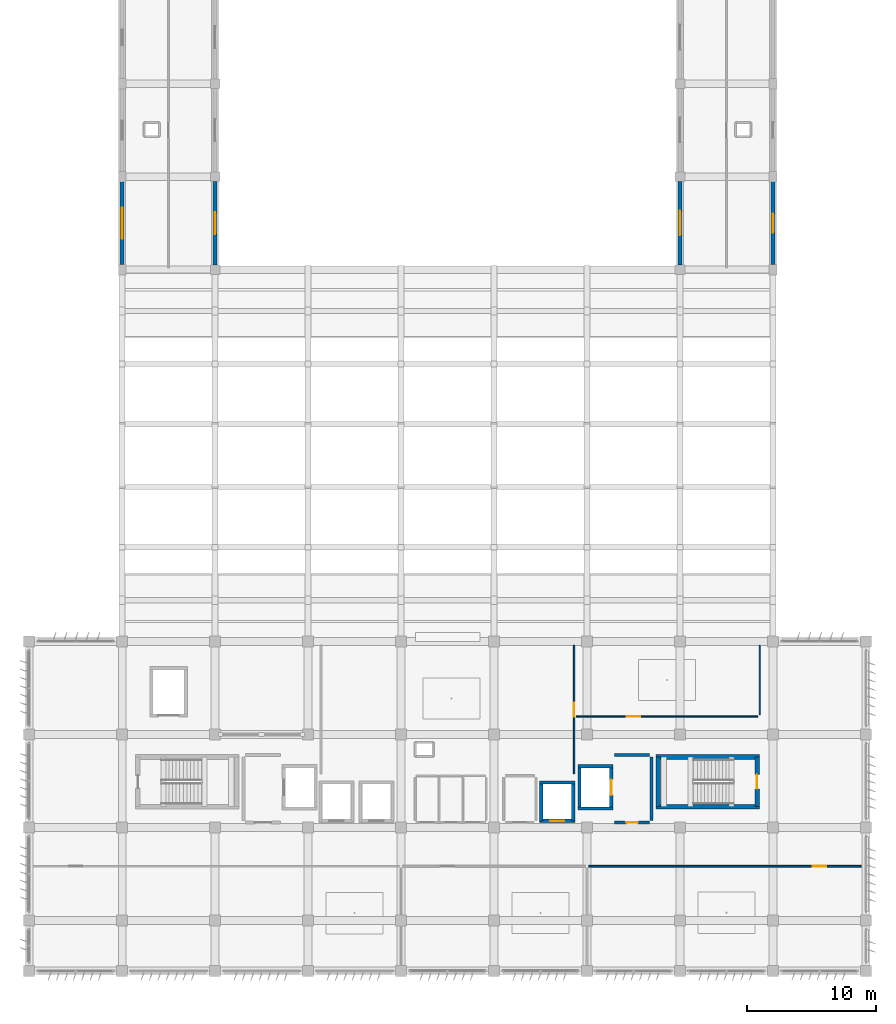
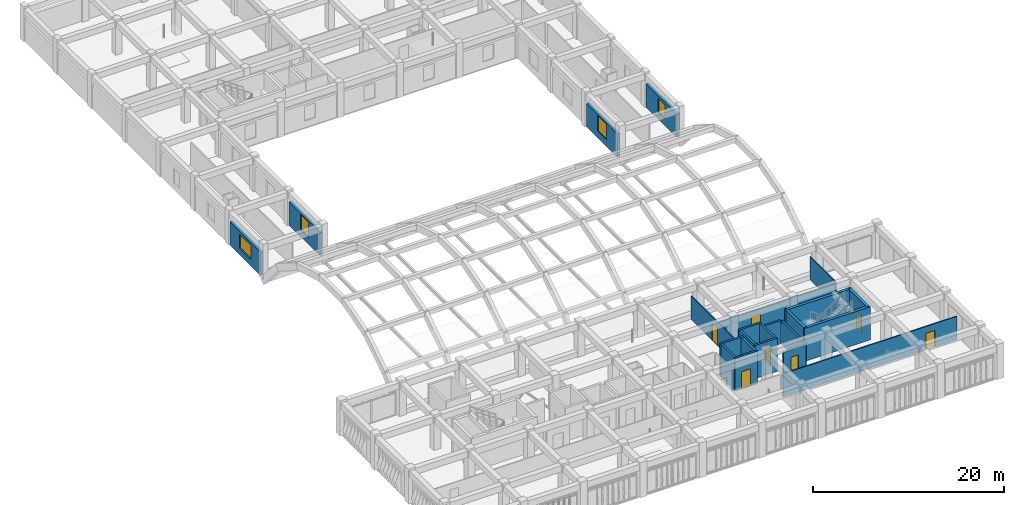
# One storey, part 29 of 48: 23 walls, 7 doors, 4 windows, 11 openings.
"""IFC4 building model written with IfcOpenShell, lengths in metres."""

import ifcopenshell
import ifcopenshell.guid

model = None  # the IFC model being written
_history = None  # IfcOwnerHistory: only IFC2X3 demands one
_inside = {}  # id of a spatial element -> (the spatial element, [elements in it])
_under = {}  # id of a project, library or spatial element -> (it, [spatial elements below it])
_declared = {}  # id of a project -> (the project, [libraries it declares])
_typed = {}  # id of a type object -> (the type object, [elements of that type])
_made_of = {}  # id of a material, layer set ... -> (it, [elements and type objects made of it])


def new_model(schema):
    """Start an empty IFC model of exactly this schema.

    Asked for "IFC4X3", IfcOpenShell would pick the latest addendum, in which some entities
    have other attributes; the version numbers below select the first issue.
    IFC2X3 requires an IfcOwnerHistory on every rooted entity: one is made here for all.
    """
    global model, _history
    if schema == "IFC4X3":
        model = ifcopenshell.file(schema_version=(4, 3, 0, 0))
    else:
        model = ifcopenshell.file(schema=schema)
    _inside.clear()
    _under.clear()
    _declared.clear()
    _typed.clear()
    _made_of.clear()
    _history = None
    if model.schema == "IFC2X3":
        org = make("IfcOrganization", Name="unknown")
        user = make(
            "IfcPersonAndOrganization",
            ThePerson=make("IfcPerson", FamilyName="unknown"),
            TheOrganization=org,
        )
        app = make(
            "IfcApplication",
            ApplicationDeveloper=org,
            Version="unknown",
            ApplicationFullName="unknown",
            ApplicationIdentifier="unknown",
        )
        _history = make(
            "IfcOwnerHistory",
            OwningUser=user,
            OwningApplication=app,
            ChangeAction="ADDED",
            CreationDate=0,
        )
    return model


def make(cls, **values):
    """One entity of the class cls with the attributes given. An attribute that is None is left unset."""
    return model.create_entity(
        cls, **{name: value for name, value in values.items() if value is not None}
    )


def rooted(cls, **values):
    """An entity with a GlobalId (a new one), such as an element, a storey or a relation."""
    return make(cls, GlobalId=ifcopenshell.guid.new(), OwnerHistory=_history, **values)


def si_unit(unit_type, name, prefix=None):
    """IfcSIUnit, for example si_unit("LENGTHUNIT", "METRE", prefix="MILLI")."""
    return make("IfcSIUnit", UnitType=unit_type, Prefix=prefix, Name=name)


def assignment(units):
    """IfcUnitAssignment: the units of a project."""
    return None if units is None else make("IfcUnitAssignment", Units=units)


def point(xyz):
    """IfcCartesianPoint."""
    return None if xyz is None else make("IfcCartesianPoint", Coordinates=xyz)


def direction(xyz):
    """IfcDirection."""
    return None if xyz is None else make("IfcDirection", DirectionRatios=xyz)


def frame(location, z_axis=None, x_axis=None):
    """IfcAxis2Placement3D, a coordinate frame: its origin and axes. An axis left out is left unset."""
    return make(
        "IfcAxis2Placement3D",
        Location=point(location),
        Axis=direction(z_axis),
        RefDirection=direction(x_axis),
    )


def frame_2d(location, x_axis=None):
    """IfcAxis2Placement2D, a coordinate frame in the plane: its origin and x axis."""
    return make(
        "IfcAxis2Placement2D", Location=point(location), RefDirection=direction(x_axis)
    )


def origin():
    """The frame at (0, 0, 0) with its axes left unset."""
    return frame((0.0, 0.0, 0.0))


def place(relative_to, where):
    """IfcLocalPlacement: puts the frame where relative to a parent placement (None: the world)."""
    return make(
        "IfcLocalPlacement", PlacementRelTo=relative_to, RelativePlacement=where
    )


def context(
    kind, dimensions, precision=None, world=None, true_north=None, identifier=None
):
    """IfcGeometricRepresentationContext, for example the 3D "Model" context."""
    return make(
        "IfcGeometricRepresentationContext",
        ContextIdentifier=identifier,
        ContextType=kind,
        CoordinateSpaceDimension=dimensions,
        Precision=precision,
        WorldCoordinateSystem=world,
        TrueNorth=true_north,
    )


def subcontext(parent, identifier, kind, view, scale=None):
    """IfcGeometricRepresentationSubContext, for example "Body" below "Model"."""
    return make(
        "IfcGeometricRepresentationSubContext",
        ContextIdentifier=identifier,
        ContextType=kind,
        ParentContext=parent,
        TargetScale=scale,
        TargetView=view,
    )


def project(units=None, contexts=None):
    """IfcProject with its units and contexts."""
    return rooted(
        "IfcProject",
        Name="project",
        RepresentationContexts=contexts,
        UnitsInContext=assignment(units),
    )


def spatial(cls, under=None, at=None, **own):
    """A site, building, storey or space (cls), placed at a placement, below another one or the project."""
    s = rooted(cls, ObjectPlacement=at, **own)
    if under is not None:
        _under.setdefault(under.id(), (under, []))[1].append(s)
    return s


def profile(cls, at=None, kind="AREA", **sizes):
    """A parametric profile (cls). Its sizes go by their IFC names, for example OverallWidth=200.0."""
    return make(cls, ProfileType=kind, Position=at, **sizes)


def rectangle(**sizes):
    """IfcRectangleProfileDef."""
    return profile("IfcRectangleProfileDef", **sizes)


def extrude(swept, where, along, depth):
    """IfcExtrudedAreaSolid: the profile swept, set in the frame where, extruded along a direction by depth."""
    return make(
        "IfcExtrudedAreaSolid",
        SweptArea=swept,
        Position=where,
        ExtrudedDirection=direction(along),
        Depth=depth,
    )


def shape(context_of_items, identifier, shape_type, items):
    """IfcShapeRepresentation: the items that make up one representation, for example the "Body"."""
    return make(
        "IfcShapeRepresentation",
        ContextOfItems=context_of_items,
        RepresentationIdentifier=identifier,
        RepresentationType=shape_type,
        Items=items,
    )


def material(Name=None, Category=None):
    """IfcMaterial."""
    return make("IfcMaterial", Name=Name, Category=Category)


def layer(
    of_material, thickness, ventilated=None, Name=None, Category=None, Priority=None
):
    """IfcMaterialLayer: one layer of a wall or slab, of a material (None: an air gap)."""
    return make(
        "IfcMaterialLayer",
        Material=of_material,
        LayerThickness=thickness,
        IsVentilated=ventilated,
        Name=Name,
        Category=Category,
        Priority=Priority,
    )


def layer_set(layers, Name=None):
    """IfcMaterialLayerSet."""
    return make("IfcMaterialLayerSet", MaterialLayers=layers, LayerSetName=Name)


def made_of(thing, what):
    """Note that an element or type object is made of a material, layer set ...; save() writes the relation."""
    if what is not None:
        _made_of.setdefault(what.id(), (what, []))[1].append(thing)
    return thing


def type_object(cls, material=None, **own):
    """A type object (cls), such as IfcWallType, which elements share."""
    return made_of(rooted(cls, **own), material)


def element(
    cls,
    number,
    at=None,
    inside=None,
    cuts=None,
    type_object=None,
    material=None,
    context=None,
    identifier="Body",
    shape_type=None,
    held_by="IfcProductDefinitionShape",
    body=None,
    shapes=None,
    **own,
):
    """One element of the class cls, such as IfcWall. Its Tag is "e" and its number.

    at: its placement. inside: the storey or other place that contains it. cuts: it is an
    opening in that element (IfcRelVoidsElement). A single representation is given by context,
    identifier, shape_type and body (its items); several are given by shapes. held_by: the class
    of the entity that holds the representations. save() writes the other relations.
    """
    e = rooted(cls, Tag="e%d" % number, ObjectPlacement=at, **own)
    if body is not None:
        shapes = [shape(context, identifier, shape_type, body)]
    if shapes is not None:
        e.Representation = make(held_by, Representations=shapes)
    if inside is not None:
        _inside.setdefault(inside.id(), (inside, []))[1].append(e)
    if cuts is not None:
        rooted(
            "IfcRelVoidsElement", RelatingBuildingElement=cuts, RelatedOpeningElement=e
        )
    if type_object is not None:
        _typed.setdefault(type_object.id(), (type_object, []))[1].append(e)
    return made_of(e, material)


def fill(opening, filler):
    """IfcRelFillsElement: the door or window that sits in an opening."""
    return rooted(
        "IfcRelFillsElement",
        RelatingOpeningElement=opening,
        RelatedBuildingElement=filler,
    )


def aggregate(whole, parts):
    """IfcRelAggregates: a whole, such as a stair, and the parts it consists of."""
    return rooted("IfcRelAggregates", RelatingObject=whole, RelatedObjects=parts)


def save(model, path):
    """Write the relations noted so far, then the file.

    IfcRelAggregates (storeys below a building ...), IfcRelContainedInSpatialStructure (elements
    in a storey), IfcRelDefinesByType, IfcRelAssociatesMaterial and IfcRelDeclares: one each for
    every whole, place, type object, material and project.
    """
    for whole, parts in _under.values():
        aggregate(whole, parts)
    for where, things in _inside.values():
        rooted(
            "IfcRelContainedInSpatialStructure",
            RelatedElements=things,
            RelatingStructure=where,
        )
    for kind, things in _typed.values():
        rooted("IfcRelDefinesByType", RelatedObjects=things, RelatingType=kind)
    for what, things in _made_of.values():
        rooted("IfcRelAssociatesMaterial", RelatedObjects=things, RelatingMaterial=what)
    for by, libraries in _declared.values():
        rooted("IfcRelDeclares", RelatingContext=by, RelatedDefinitions=libraries)
    model.write(path)


model = new_model("IFC4")

# Units and contexts
model_context = context("Model", 3, precision=1e-05, world=origin(), true_north=direction((0.0, 1.0)))
body_context = subcontext(model_context, "Body", "Model", "MODEL_VIEW")
ifc_project = project(units=[si_unit("LENGTHUNIT", "METRE"), si_unit("AREAUNIT", "SQUARE_METRE"), si_unit("VOLUMEUNIT", "CUBIC_METRE"), si_unit("PLANEANGLEUNIT", "RADIAN"), si_unit("MASSUNIT", "GRAM", prefix="KILO")], contexts=[model_context])

# Site, building, storey
site_placement = place(None, origin())
site = spatial("IfcSite", under=ifc_project, at=site_placement, CompositionType="ELEMENT")
building_placement = place(site_placement, origin())
building = spatial("IfcBuilding", under=site, at=building_placement, Name="Kazehaya Institute of Natural Sciences", CompositionType="ELEMENT")
storey_placement = place(building_placement, frame((0.0, 0.0, 19.800048828125)))
storey = spatial("IfcBuildingStorey", under=building, at=storey_placement, Name="L04", CompositionType="ELEMENT", Elevation=19.800048828125)

# Walls
ifc_material_1 = material(Name="Concrete Fc42", Category="concrete")
ifc_layer_1 = layer(ifc_material_1, 0.35009765625, Name="Concrete Fc42", Category="concrete")
ifc_layer_set_1 = layer_set([ifc_layer_1], Name="Concrete Fc42")
wall_type_1 = type_object("IfcWallType", Name="WL-CORE-350", PredefinedType="SHEAR", material=ifc_layer_set_1)
for number, where, z_axis, x_axis, name in (
    (1, (111.155029296875, 22.820068359375, 0.0), (0.0, 0.0, 1.0), (-1.0, 0.0, 0.0), "L04 ST-2 core wall S"),
    (2, (103.14501953125, 26.659912109375, 0.0), (0.0, 0.0, 1.0), (1.0, 0.0, 0.0), "L04 ST-2 core wall N"),
):
    element("IfcWall", number, at=place(storey_placement, frame(where, z_axis=z_axis, x_axis=x_axis)), inside=storey, type_object=wall_type_1, Name=name, PredefinedType="SHEAR", context=body_context, shape_type="SweptSolid", body=[
        extrude(rectangle(XDim=8.010009765625, YDim=0.35009765625, at=frame_2d((4.0048828125, 0.0))), origin(), (0.0, 0.0, 1.0), 4.22998046875),
    ])
wall_1_placement = place(storey_placement, frame((103.320068359375, 22.820068359375, 0.0), z_axis=(0.0, 0.0, 1.0), x_axis=(0.0, 1.0, 0.0)))
element("IfcWall", 3, at=wall_1_placement, inside=storey, type_object=wall_type_1, Name="L04 ST-2 core wall W", PredefinedType="SHEAR", context=body_context, shape_type="SweptSolid", body=[
    extrude(rectangle(XDim=3.83984375, YDim=0.35009765625, at=frame_2d((1.919921875, 0.0))), origin(), (0.0, 0.0, 1.0), 4.22998046875),
])

# Wall, opening, door
wall_2_placement = place(storey_placement, frame((110.97998046875, 26.659912109375, 0.0), z_axis=(0.0, 0.0, 1.0), x_axis=(0.0, -1.0, 0.0)))
wall_2 = element("IfcWall", 4, at=wall_2_placement, inside=storey, type_object=wall_type_1, Name="L04 ST-2 core wall E", PredefinedType="SHEAR", context=body_context, shape_type="SweptSolid", body=[
    extrude(rectangle(XDim=3.83984375, YDim=0.35009765625, at=frame_2d((1.919921875, 0.0))), origin(), (0.0, 0.0, 1.0), 4.22998046875),
])
opening_1_placement = place(wall_2_placement, frame((1.3701171875, 0.0, 0.0)))
opening_1 = element("IfcOpeningElement", 5, at=opening_1_placement, cuts=wall_2, Name="Opening D-ST-017", PredefinedType="OPENING", context=body_context, shape_type="SweptSolid", body=[
    extrude(rectangle(XDim=1.10009765625, YDim=2.179931640625, at=frame_2d((0.550048828125, 1.08984375))), frame((0.0, 0.18505859375, 0.0), z_axis=(0.0, -1.0, 0.0), x_axis=(1.0, 0.0, 0.0)), (0.0, 0.0, 1.0), 0.3701171875),
])
ifc_material_2 = material(Name="Fire-rated steel acoustic door", Category="steel")
door_type_1 = type_object("IfcDoorType", Name="DT-FD-18", OperationType="NOTDEFINED", PredefinedType="DOOR", material=ifc_material_2)
door_1_placement = place(opening_1_placement, origin())
door_1 = element("IfcDoor", 6, at=door_1_placement, inside=storey, type_object=door_type_1, Name="L04 ST-2 stair enclosure door D-ST-017", OperationType="SINGLE_SWING_LEFT", OverallHeight=2.179931640625, OverallWidth=1.10009765625, PredefinedType="DOOR", context=body_context, shape_type="SweptSolid", body=[
    extrude(rectangle(XDim=1.10009765625, YDim=2.179931640625, at=frame_2d((0.550048828125, 1.08984375))), frame((0.0, 0.02490234375, 0.0), z_axis=(0.0, -1.0, 0.0), x_axis=(1.0, 0.0, 0.0)), (0.0, 0.0, 1.0), 0.050048828125),
])
fill(opening_1, door_1)

# Wall, opening, window
ifc_material_3 = material(Name="Precast concrete Fc36", Category="concrete")
ifc_layer_2 = layer(ifc_material_3, 0.31005859375, Name="Precast concrete Fc36", Category="concrete")
ifc_layer_set_2 = layer_set([ifc_layer_2], Name="Precast concrete Fc36")
wall_type_2 = type_object("IfcWallType", Name="WL-EXT-310", PredefinedType="SOLIDWALL", material=ifc_layer_set_2)
wall_3_placement = place(storey_placement, frame((69.0, 71.239990234375, 0.0), z_axis=(0.0, 0.0, 1.0), x_axis=(0.0, -1.0, 0.0)))
wall_3 = element("IfcWall", 7, at=wall_3_placement, inside=storey, type_object=wall_type_2, Name="L04 exterior wall EW-L04-0271", PredefinedType="SOLIDWALL", context=body_context, shape_type="SweptSolid", body=[
    extrude(rectangle(XDim=6.47998046875, YDim=0.31005859375, at=frame_2d((3.239990234375, 0.0))), origin(), (0.0, 0.0, 1.0), 3.0),
])
opening_2_placement = place(wall_3_placement, frame((2.389892578125, 0.0, 0.85009765625)))
opening_2 = element("IfcOpeningElement", 8, at=opening_2_placement, cuts=wall_3, Name="Opening W22", PredefinedType="OPENING", context=body_context, shape_type="SweptSolid", body=[
    extrude(rectangle(XDim=1.699951171875, YDim=2.0, at=frame_2d((0.85009765625, 1.0))), frame((0.0, 0.1650390625, 0.0), z_axis=(0.0, -1.0, 0.0), x_axis=(1.0, 0.0, 0.0)), (0.0, 0.0, 1.0), 0.330078125),
])
ifc_material_4 = material(Name="Low-E double-glazed aluminium window", Category="aluminium")
window_type_1 = type_object("IfcWindowType", Name="WN-22", PartitioningType="SINGLE_PANEL", PredefinedType="WINDOW", material=ifc_material_4)
window_1_placement = place(opening_2_placement, origin())
window_1 = element("IfcWindow", 9, at=window_1_placement, inside=storey, type_object=window_type_1, Name="L04 facade window 0171", OverallHeight=2.0, OverallWidth=1.699951171875, PartitioningType="SINGLE_PANEL", PredefinedType="WINDOW", context=body_context, shape_type="SweptSolid", body=[
    extrude(rectangle(XDim=1.699951171875, YDim=2.0, at=frame_2d((0.85009765625, 1.0))), frame((0.0, 0.030029296875, 0.0), z_axis=(0.0, -1.0, 0.0), x_axis=(1.0, 0.0, 0.0)), (0.0, 0.0, 1.0), 0.06005859375),
])
fill(opening_2, window_1)

wall_4_placement = place(storey_placement, frame((105.0, 64.760009765625, 0.0), z_axis=(0.0, 0.0, 1.0), x_axis=(0.0, 1.0, 0.0)))
wall_4 = element("IfcWall", 10, at=wall_4_placement, inside=storey, type_object=wall_type_2, Name="L04 exterior wall EW-L04-0272", PredefinedType="SOLIDWALL", context=body_context, shape_type="SweptSolid", body=[
    extrude(rectangle(XDim=6.47998046875, YDim=0.31005859375, at=frame_2d((3.239990234375, 0.0))), origin(), (0.0, 0.0, 1.0), 3.0),
])
opening_3_placement = place(wall_4_placement, frame((2.2900390625, 0.0, 0.85009765625)))
opening_3 = element("IfcOpeningElement", 11, at=opening_3_placement, cuts=wall_4, Name="Opening W23", PredefinedType="OPENING", context=body_context, shape_type="SweptSolid", body=[
    extrude(rectangle(XDim=1.89990234375, YDim=2.0, at=frame_2d((0.949951171875, 1.0))), frame((0.0, 0.1650390625, 0.0), z_axis=(0.0, -1.0, 0.0), x_axis=(1.0, 0.0, 0.0)), (0.0, 0.0, 1.0), 0.330078125),
])
window_type_2 = type_object("IfcWindowType", Name="WN-23", PartitioningType="DOUBLE_PANEL_VERTICAL", PredefinedType="WINDOW", material=ifc_material_4)
window_2_placement = place(opening_3_placement, origin())
window_2 = element("IfcWindow", 12, at=window_2_placement, inside=storey, type_object=window_type_2, Name="L04 facade window 0172", OverallHeight=2.0, OverallWidth=1.89990234375, PartitioningType="DOUBLE_PANEL_VERTICAL", PredefinedType="WINDOW", context=body_context, shape_type="SweptSolid", body=[
    extrude(rectangle(XDim=1.89990234375, YDim=2.0, at=frame_2d((0.949951171875, 1.0))), frame((0.0, 0.030029296875, 0.0), z_axis=(0.0, -1.0, 0.0), x_axis=(1.0, 0.0, 0.0)), (0.0, 0.0, 1.0), 0.06005859375),
])
fill(opening_3, window_2)

ifc_layer_3 = layer(ifc_material_3, 0.320068359375, Name="Precast concrete Fc36", Category="concrete")
ifc_layer_set_3 = layer_set([ifc_layer_3], Name="Precast concrete Fc36")
wall_type_3 = type_object("IfcWallType", Name="WL-EXT-320", PredefinedType="SOLIDWALL", material=ifc_layer_set_3)
wall_5_placement = place(storey_placement, frame((61.800048828125, 64.784912109375, 0.0), z_axis=(0.0, 0.0, 1.0), x_axis=(0.0, 1.0, 0.0)))
wall_5 = element("IfcWall", 13, at=wall_5_placement, inside=storey, type_object=wall_type_3, Name="L04 exterior wall EW-L04-0269", PredefinedType="SOLIDWALL", context=body_context, shape_type="SweptSolid", body=[
    extrude(rectangle(XDim=6.43017578125, YDim=0.320068359375, at=frame_2d((3.215087890625, 0.0))), origin(), (0.0, 0.0, 1.0), 3.0),
])
opening_4_placement = place(wall_5_placement, frame((2.014892578125, 0.0, 0.85009765625)))
opening_4 = element("IfcOpeningElement", 14, at=opening_4_placement, cuts=wall_5, Name="Opening W13", PredefinedType="OPENING", context=body_context, shape_type="SweptSolid", body=[
    extrude(rectangle(XDim=2.39990234375, YDim=1.800048828125, at=frame_2d((1.199951171875, 0.89990234375))), frame((0.0, 0.169921875, 0.0), z_axis=(0.0, -1.0, 0.0), x_axis=(1.0, 0.0, 0.0)), (0.0, 0.0, 1.0), 0.340087890625),
])
window_type_3 = type_object("IfcWindowType", Name="WN-13", PartitioningType="DOUBLE_PANEL_VERTICAL", PredefinedType="WINDOW", material=ifc_material_4)
window_3_placement = place(opening_4_placement, origin())
window_3 = element("IfcWindow", 15, at=window_3_placement, inside=storey, type_object=window_type_3, Name="L04 facade window 0169", OverallHeight=1.800048828125, OverallWidth=2.39990234375, PartitioningType="DOUBLE_PANEL_VERTICAL", PredefinedType="WINDOW", context=body_context, shape_type="SweptSolid", body=[
    extrude(rectangle(XDim=2.39990234375, YDim=1.800048828125, at=frame_2d((1.199951171875, 0.89990234375))), frame((0.0, 0.030029296875, 0.0), z_axis=(0.0, -1.0, 0.0), x_axis=(1.0, 0.0, 0.0)), (0.0, 0.0, 1.0), 0.06005859375),
])
fill(opening_4, window_3)

wall_6_placement = place(storey_placement, frame((112.199951171875, 71.215087890625, 0.0), z_axis=(0.0, 0.0, 1.0), x_axis=(0.0, -1.0, 0.0)))
wall_6 = element("IfcWall", 16, at=wall_6_placement, inside=storey, type_object=wall_type_3, Name="L04 exterior wall EW-L04-0270", PredefinedType="SOLIDWALL", context=body_context, shape_type="SweptSolid", body=[
    extrude(rectangle(XDim=6.43017578125, YDim=0.320068359375, at=frame_2d((3.215087890625, 0.0))), origin(), (0.0, 0.0, 1.0), 3.0),
])
opening_5_placement = place(wall_6_placement, frame((2.465087890625, 0.0, 0.85009765625)))
opening_5 = element("IfcOpeningElement", 17, at=opening_5_placement, cuts=wall_6, Name="Opening W14", PredefinedType="OPENING", context=body_context, shape_type="SweptSolid", body=[
    extrude(rectangle(XDim=1.5, YDim=1.800048828125, at=frame_2d((0.75, 0.89990234375))), frame((0.0, 0.169921875, 0.0), z_axis=(0.0, -1.0, 0.0), x_axis=(1.0, 0.0, 0.0)), (0.0, 0.0, 1.0), 0.340087890625),
])
window_type_4 = type_object("IfcWindowType", Name="WN-14", PartitioningType="SINGLE_PANEL", PredefinedType="WINDOW", material=ifc_material_4)
window_4_placement = place(opening_5_placement, origin())
window_4 = element("IfcWindow", 18, at=window_4_placement, inside=storey, type_object=window_type_4, Name="L04 facade window 0170", OverallHeight=1.800048828125, OverallWidth=1.5, PartitioningType="SINGLE_PANEL", PredefinedType="WINDOW", context=body_context, shape_type="SweptSolid", body=[
    extrude(rectangle(XDim=1.5, YDim=1.800048828125, at=frame_2d((0.75, 0.89990234375))), frame((0.0, 0.030029296875, 0.0), z_axis=(0.0, -1.0, 0.0), x_axis=(1.0, 0.0, 0.0)), (0.0, 0.0, 1.0), 0.06005859375),
])
fill(opening_5, window_4)

# Wall, opening, door
ifc_material_5 = material(Name="Concrete Fc36", Category="concrete")
ifc_layer_4 = layer(ifc_material_5, 0.22998046875, Name="Concrete Fc36", Category="concrete")
ifc_layer_set_4 = layer_set([ifc_layer_4], Name="Concrete Fc36")
wall_type_4 = type_object("IfcWallType", Name="WL-FFL-230", PredefinedType="PARTITIONING", material=ifc_layer_set_4)
wall_7_placement = place(storey_placement, frame((102.64990234375, 21.60009765625, 0.0), z_axis=(0.0, 0.0, 1.0), x_axis=(-1.0, 0.0, 0.0)))
wall_7 = element("IfcWall", 19, at=wall_7_placement, inside=storey, type_object=wall_type_4, Name="L04 East Firefighting Lift Lobby partition IW-L04-0220", PredefinedType="PARTITIONING", context=body_context, shape_type="SweptSolid", body=[
    extrude(rectangle(XDim=2.699951171875, YDim=0.22998046875, at=frame_2d((1.35009765625, 0.0))), origin(), (0.0, 0.0, 1.0), 2.97998046875),
])
opening_6_placement = place(wall_7_placement, frame((0.89990234375, 0.0, 0.0)))
opening_6 = element("IfcOpeningElement", 20, at=opening_6_placement, cuts=wall_7, Name="Opening D-L04-0139", PredefinedType="OPENING", context=body_context, shape_type="SweptSolid", body=[
    extrude(rectangle(XDim=0.89990234375, YDim=2.06005859375, at=frame_2d((0.449951171875, 1.030029296875))), frame((0.0, 0.125, 0.0), z_axis=(0.0, -1.0, 0.0), x_axis=(1.0, 0.0, 0.0)), (0.0, 0.0, 1.0), 0.25),
])
door_type_2 = type_object("IfcDoorType", Name="DT-FD-01", OperationType="NOTDEFINED", PredefinedType="DOOR", material=ifc_material_2)
door_2_placement = place(opening_6_placement, origin())
door_2 = element("IfcDoor", 21, at=door_2_placement, inside=storey, type_object=door_type_2, Name="L04 East Firefighting Lift Lobby door D-L04-0139", OperationType="SINGLE_SWING_LEFT", OverallHeight=2.06005859375, OverallWidth=0.89990234375, PredefinedType="DOOR", context=body_context, shape_type="SweptSolid", body=[
    extrude(rectangle(XDim=0.89990234375, YDim=2.06005859375, at=frame_2d((0.449951171875, 1.030029296875))), frame((0.0, 0.02490234375, 0.0), z_axis=(0.0, -1.0, 0.0), x_axis=(1.0, 0.0, 0.0)), (0.0, 0.0, 1.0), 0.050048828125),
])
fill(opening_6, door_2)

# Walls
wall_8_placement = place(storey_placement, frame((99.949951171875, 26.800048828125, 0.0), z_axis=(0.0, 0.0, 1.0), x_axis=(1.0, 0.0, 0.0)))
element("IfcWall", 22, at=wall_8_placement, inside=storey, type_object=wall_type_4, Name="L04 East Firefighting Lift Lobby partition IW-L04-0221", PredefinedType="PARTITIONING", context=body_context, shape_type="SweptSolid", body=[
    extrude(rectangle(XDim=2.699951171875, YDim=0.22998046875, at=frame_2d((1.35009765625, 0.0))), origin(), (0.0, 0.0, 1.0), 2.97998046875),
])
wall_9_placement = place(storey_placement, frame((102.800048828125, 26.64990234375, 0.0), z_axis=(0.0, 0.0, 1.0), x_axis=(0.0, -1.0, 0.0)))
element("IfcWall", 23, at=wall_9_placement, inside=storey, type_object=wall_type_4, Name="L04 East Firefighting Lift Lobby partition IW-L04-0222", PredefinedType="PARTITIONING", context=body_context, shape_type="SweptSolid", body=[
    extrude(rectangle(XDim=4.89990234375, YDim=0.22998046875, at=frame_2d((2.449951171875, 0.0))), origin(), (0.0, 0.0, 1.0), 2.97998046875),
])

# Wall, opening, door
ifc_material_6 = material(Name="Lightweight chase partition")
ifc_layer_5 = layer(ifc_material_6, 0.10009765625, Name="Lightweight chase partition")
ifc_layer_set_5 = layer_set([ifc_layer_5], Name="Lightweight chase partition")
wall_type_5 = type_object("IfcWallType", Name="WL-PART-100", PredefinedType="PARTITIONING", material=ifc_layer_set_5)
wall_10_placement = place(storey_placement, frame((111.030029296875, 29.800048828125, 0.0), z_axis=(0.0, 0.0, 1.0), x_axis=(-1.0, 0.0, 0.0)))
wall_10 = element("IfcWall", 24, at=wall_10_placement, inside=storey, type_object=wall_type_5, Name="L04 Cold Room and Autoclave Alcove partition IW-L04-0244", PredefinedType="PARTITIONING", context=body_context, shape_type="SweptSolid", body=[
    extrude(rectangle(XDim=14.080078125, YDim=0.10009765625, at=frame_2d((7.0400390625, 0.0))), origin(), (0.0, 0.0, 1.0), 2.97998046875),
])
opening_7_placement = place(wall_10_placement, frame((9.094970703125, 0.0, 0.0)))
opening_7 = element("IfcOpeningElement", 25, at=opening_7_placement, cuts=wall_10, Name="Opening D-L04-0148", PredefinedType="OPENING", context=body_context, shape_type="SweptSolid", body=[
    extrude(rectangle(XDim=1.070068359375, YDim=2.219970703125, at=frame_2d((0.53515625, 1.10986328125))), frame((0.0, 0.06005859375, 0.0), z_axis=(0.0, -1.0, 0.0), x_axis=(1.0, 0.0, 0.0)), (0.0, 0.0, 1.0), 0.1201171875),
])
ifc_material_7 = material(Name="Flush timber and aluminium laboratory door", Category="wood")
door_type_3 = type_object("IfcDoorType", Name="DT-INT-24", OperationType="NOTDEFINED", PredefinedType="DOOR", material=ifc_material_7)
door_3_placement = place(opening_7_placement, origin())
door_3 = element("IfcDoor", 26, at=door_3_placement, inside=storey, type_object=door_type_3, Name="L04 Cold Room and Autoclave Alcove door D-L04-0148", OperationType="SINGLE_SWING_RIGHT", OverallHeight=2.219970703125, OverallWidth=1.070068359375, PredefinedType="DOOR", context=body_context, shape_type="SweptSolid", body=[
    extrude(rectangle(XDim=1.070068359375, YDim=2.219970703125, at=frame_2d((0.53515625, 1.10986328125))), frame((0.0, 0.02490234375, 0.0), z_axis=(0.0, -1.0, 0.0), x_axis=(1.0, 0.0, 0.0)), (0.0, 0.0, 1.0), 0.050048828125),
])
fill(opening_7, door_3)

# Wall
wall_11_placement = place(storey_placement, frame((111.179931640625, 35.300048828125, 0.0), z_axis=(0.0, 0.0, 1.0), x_axis=(0.0, -1.0, 0.0)))
element("IfcWall", 27, at=wall_11_placement, inside=storey, type_object=wall_type_5, Name="L04 Cold Room and Autoclave Alcove partition IW-L04-0245", PredefinedType="PARTITIONING", context=body_context, shape_type="SweptSolid", body=[
    extrude(rectangle(XDim=5.35009765625, YDim=0.10009765625, at=frame_2d((2.675048828125, 0.0))), origin(), (0.0, 0.0, 1.0), 2.97998046875),
])

# Wall, opening, door
ifc_material_8 = material(Name="Gypsum write-up office partition", Category="gypsum")
ifc_layer_6 = layer(ifc_material_8, 0.1201171875, Name="Gypsum write-up office partition", Category="gypsum")
ifc_layer_set_6 = layer_set([ifc_layer_6], Name="Gypsum write-up office partition")
wall_type_6 = type_object("IfcWallType", Name="WL-PART-120", PredefinedType="PARTITIONING", material=ifc_layer_set_6)
wall_12_placement = place(storey_placement, frame((96.800048828125, 35.300048828125, 0.0), z_axis=(0.0, 0.0, 1.0), x_axis=(0.0, -1.0, 0.0)))
wall_12 = element("IfcWall", 28, at=wall_12_placement, inside=storey, type_object=wall_type_6, Name="L04 Proteomics Research Laboratory partition IW-L04-0243", PredefinedType="PARTITIONING", context=body_context, shape_type="SweptSolid", body=[
    extrude(rectangle(XDim=9.949951171875, YDim=0.1201171875, at=frame_2d((4.97509765625, 0.0))), origin(), (0.0, 0.0, 1.0), 2.97998046875),
])
opening_8_placement = place(wall_12_placement, frame((4.43994140625, 0.0, 0.0)))
opening_8 = element("IfcOpeningElement", 29, at=opening_8_placement, cuts=wall_12, Name="Opening D-L04-0147", PredefinedType="OPENING", context=body_context, shape_type="SweptSolid", body=[
    extrude(rectangle(XDim=1.070068359375, YDim=2.159912109375, at=frame_2d((0.53515625, 1.080078125))), frame((0.0, 0.070068359375, 0.0), z_axis=(0.0, -1.0, 0.0), x_axis=(1.0, 0.0, 0.0)), (0.0, 0.0, 1.0), 0.14013671875),
])
door_type_4 = type_object("IfcDoorType", Name="DT-INT-23", OperationType="NOTDEFINED", PredefinedType="DOOR", material=ifc_material_7)
door_4_placement = place(opening_8_placement, origin())
door_4 = element("IfcDoor", 30, at=door_4_placement, inside=storey, type_object=door_type_4, Name="L04 Proteomics Research Laboratory door D-L04-0147", OperationType="SINGLE_SWING_LEFT", OverallHeight=2.159912109375, OverallWidth=1.070068359375, PredefinedType="DOOR", context=body_context, shape_type="SweptSolid", body=[
    extrude(rectangle(XDim=1.070068359375, YDim=2.159912109375, at=frame_2d((0.53515625, 1.080078125))), frame((0.0, 0.02490234375, 0.0), z_axis=(0.0, -1.0, 0.0), x_axis=(1.0, 0.0, 0.0)), (0.0, 0.0, 1.0), 0.050048828125),
])
fill(opening_8, door_4)

ifc_material_9 = material(Name="Moisture-resistant WC partition")
ifc_layer_7 = layer(ifc_material_9, 0.1298828125, Name="Moisture-resistant WC partition")
ifc_layer_set_7 = layer_set([ifc_layer_7], Name="Moisture-resistant WC partition")
wall_type_7 = type_object("IfcWallType", Name="WL-PART-130", PredefinedType="PARTITIONING", material=ifc_layer_set_7)
wall_13_placement = place(storey_placement, frame((97.949951171875, 18.199951171875, 0.0), z_axis=(0.0, 0.0, 1.0), x_axis=(1.0, 0.0, 0.0)))
wall_13 = element("IfcWall", 31, at=wall_13_placement, inside=storey, type_object=wall_type_7, Name="L04 Researcher Write-up Office partition IW-L04-0241", PredefinedType="PARTITIONING", context=body_context, shape_type="SweptSolid", body=[
    extrude(rectangle(XDim=21.10009765625, YDim=0.1298828125, at=frame_2d((10.550048828125, 0.0))), origin(), (0.0, 0.0, 1.0), 2.97998046875),
])
opening_9_placement = place(wall_13_placement, frame((17.31494140625, 0.0, 0.0)))
opening_9 = element("IfcOpeningElement", 32, at=opening_9_placement, cuts=wall_13, Name="Opening D-L04-0146", PredefinedType="OPENING", context=body_context, shape_type="SweptSolid", body=[
    extrude(rectangle(XDim=1.070068359375, YDim=2.10009765625, at=frame_2d((0.53515625, 1.050048828125))), frame((0.0, 0.074951171875, 0.0), z_axis=(0.0, -1.0, 0.0), x_axis=(1.0, 0.0, 0.0)), (0.0, 0.0, 1.0), 0.14990234375),
])
door_type_5 = type_object("IfcDoorType", Name="DT-INT-22", OperationType="NOTDEFINED", PredefinedType="DOOR", material=ifc_material_7)
door_5_placement = place(opening_9_placement, origin())
door_5 = element("IfcDoor", 33, at=door_5_placement, inside=storey, type_object=door_type_5, Name="L04 Researcher Write-up Office door D-L04-0146", OperationType="SINGLE_SWING_RIGHT", OverallHeight=2.10009765625, OverallWidth=1.070068359375, PredefinedType="DOOR", context=body_context, shape_type="SweptSolid", body=[
    extrude(rectangle(XDim=1.070068359375, YDim=2.10009765625, at=frame_2d((0.53515625, 1.050048828125))), frame((0.0, 0.02490234375, 0.0), z_axis=(0.0, -1.0, 0.0), x_axis=(1.0, 0.0, 0.0)), (0.0, 0.0, 1.0), 0.050048828125),
])
fill(opening_9, door_5)

# Walls
ifc_layer_8 = layer(ifc_material_1, 0.25, Name="Concrete Fc42", Category="concrete")
ifc_layer_set_8 = layer_set([ifc_layer_8], Name="Concrete Fc42")
wall_type_8 = type_object("IfcWallType", Name="WL-SHAFT-250", PredefinedType="SHEAR", material=ifc_layer_set_8)
for number, where, z_axis, x_axis, name in (
    (34, (99.81005859375, 22.6650390625, 0.0), (0.0, 0.0, 1.0), (-1.0, 0.0, 0.0), "L04 EL08 lift shaft wall south"),
    (35, (97.090087890625, 25.93505859375, 0.0), (0.0, 0.0, 1.0), (1.0, 0.0, 0.0), "L04 EL08 lift shaft wall north"),
):
    element("IfcWall", number, at=place(storey_placement, frame(where, z_axis=z_axis, x_axis=x_axis)), inside=storey, type_object=wall_type_8, Name=name, PredefinedType="SHEAR", context=body_context, shape_type="SweptSolid", body=[
        extrude(rectangle(XDim=2.719970703125, YDim=0.25, at=frame_2d((1.35986328125, 0.0))), origin(), (0.0, 0.0, 1.0), 4.22998046875),
    ])
wall_14_placement = place(storey_placement, frame((97.215087890625, 22.6650390625, 0.0), z_axis=(0.0, 0.0, 1.0), x_axis=(0.0, 1.0, 0.0)))
element("IfcWall", 36, at=wall_14_placement, inside=storey, type_object=wall_type_8, Name="L04 EL08 lift shaft wall west", PredefinedType="SHEAR", context=body_context, shape_type="SweptSolid", body=[
    extrude(rectangle(XDim=3.27001953125, YDim=0.25, at=frame_2d((1.635009765625, 0.0))), origin(), (0.0, 0.0, 1.0), 4.22998046875),
])

# Wall, opening, door
wall_15_placement = place(storey_placement, frame((99.68505859375, 25.93505859375, 0.0), z_axis=(0.0, 0.0, 1.0), x_axis=(0.0, -1.0, 0.0)))
wall_15 = element("IfcWall", 37, at=wall_15_placement, inside=storey, type_object=wall_type_8, Name="L04 EL08 lift shaft wall east", PredefinedType="SHEAR", context=body_context, shape_type="SweptSolid", body=[
    extrude(rectangle(XDim=3.27001953125, YDim=0.25, at=frame_2d((1.635009765625, 0.0))), origin(), (0.0, 0.0, 1.0), 4.22998046875),
])
opening_10_placement = place(wall_15_placement, frame((1.034912109375, 0.0, 0.0)))
opening_10 = element("IfcOpeningElement", 38, at=opening_10_placement, cuts=wall_15, Name="Opening LD-17", PredefinedType="OPENING", context=body_context, shape_type="SweptSolid", body=[
    extrude(rectangle(XDim=1.199951171875, YDim=2.25, at=frame_2d((0.60009765625, 1.125))), frame((0.0, 0.135009765625, 0.0), z_axis=(0.0, -1.0, 0.0), x_axis=(1.0, 0.0, 0.0)), (0.0, 0.0, 1.0), 0.27001953125),
])
ifc_material_10 = material(Name="Stainless-steel emergency lift landing door", Category="steel")
door_type_6 = type_object("IfcDoorType", Name="DT-LD-1200x2250", OperationType="SLIDING_TO_LEFT", PredefinedType="DOOR", material=ifc_material_10)
door_6_placement = place(opening_10_placement, origin())
door_6 = element("IfcDoor", 39, at=door_6_placement, inside=storey, type_object=door_type_6, Name="L04 EL08 sliding landing door LD-17", OperationType="SLIDING_TO_LEFT", OverallHeight=2.25, OverallWidth=1.199951171875, PredefinedType="DOOR", context=body_context, shape_type="SweptSolid", body=[
    extrude(rectangle(XDim=1.199951171875, YDim=2.25, at=frame_2d((0.60009765625, 1.125))), frame((0.0, 0.02490234375, 0.0), z_axis=(0.0, -1.0, 0.0), x_axis=(1.0, 0.0, 0.0)), (0.0, 0.0, 1.0), 0.050048828125),
])
fill(opening_10, door_6)

wall_16_placement = place(storey_placement, frame((96.860107421875, 21.715087890625, 0.0), z_axis=(0.0, 0.0, 1.0), x_axis=(-1.0, 0.0, 0.0)))
wall_16 = element("IfcWall", 40, at=wall_16_placement, inside=storey, type_object=wall_type_8, Name="L04 EL03 lift shaft wall south", PredefinedType="SHEAR", context=body_context, shape_type="SweptSolid", body=[
    extrude(rectangle(XDim=2.72021484375, YDim=0.25, at=frame_2d((1.360107421875, 0.0))), origin(), (0.0, 0.0, 1.0), 4.22998046875),
])
opening_11_placement = place(wall_16_placement, frame((0.81005859375, 0.0, 0.0)))
opening_11 = element("IfcOpeningElement", 41, at=opening_11_placement, cuts=wall_16, Name="Opening LD-50", PredefinedType="OPENING", context=body_context, shape_type="SweptSolid", body=[
    extrude(rectangle(XDim=1.10009765625, YDim=2.199951171875, at=frame_2d((0.550048828125, 1.10009765625))), frame((0.0, 0.135009765625, 0.0), z_axis=(0.0, -1.0, 0.0), x_axis=(1.0, 0.0, 0.0)), (0.0, 0.0, 1.0), 0.27001953125),
])
ifc_material_11 = material(Name="Stainless-steel sliding landing door", Category="steel")
door_type_7 = type_object("IfcDoorType", Name="DT-LD-1100x2200", OperationType="SLIDING_TO_LEFT", PredefinedType="DOOR", material=ifc_material_11)
door_7_placement = place(opening_11_placement, origin())
door_7 = element("IfcDoor", 42, at=door_7_placement, inside=storey, type_object=door_type_7, Name="L04 EL03 sliding landing door LD-50", OperationType="SLIDING_TO_LEFT", OverallHeight=2.199951171875, OverallWidth=1.10009765625, PredefinedType="DOOR", context=body_context, shape_type="SweptSolid", body=[
    extrude(rectangle(XDim=1.10009765625, YDim=2.199951171875, at=frame_2d((0.550048828125, 1.10009765625))), frame((0.0, 0.02490234375, 0.0), z_axis=(0.0, -1.0, 0.0), x_axis=(1.0, 0.0, 0.0)), (0.0, 0.0, 1.0), 0.050048828125),
])
fill(opening_11, door_7)

# Walls
wall_17_placement = place(storey_placement, frame((94.139892578125, 24.68505859375, 0.0), z_axis=(0.0, 0.0, 1.0), x_axis=(1.0, 0.0, 0.0)))
element("IfcWall", 43, at=wall_17_placement, inside=storey, type_object=wall_type_8, Name="L04 EL03 lift shaft wall north", PredefinedType="SHEAR", context=body_context, shape_type="SweptSolid", body=[
    extrude(rectangle(XDim=2.72021484375, YDim=0.25, at=frame_2d((1.360107421875, 0.0))), origin(), (0.0, 0.0, 1.0), 4.22998046875),
])
for number, where, z_axis, x_axis, name in (
    (44, (94.264892578125, 21.715087890625, 0.0), (0.0, 0.0, 1.0), (0.0, 1.0, 0.0), "L04 EL03 lift shaft wall west"),
    (45, (96.735107421875, 24.68505859375, 0.0), (0.0, 0.0, 1.0), (0.0, -1.0, 0.0), "L04 EL03 lift shaft wall east"),
):
    element("IfcWall", number, at=place(storey_placement, frame(where, z_axis=z_axis, x_axis=x_axis)), inside=storey, type_object=wall_type_8, Name=name, PredefinedType="SHEAR", context=body_context, shape_type="SweptSolid", body=[
        extrude(rectangle(XDim=2.969970703125, YDim=0.25, at=frame_2d((1.48486328125, 0.0))), origin(), (0.0, 0.0, 1.0), 4.22998046875),
    ])

save(model, "model.ifc")
